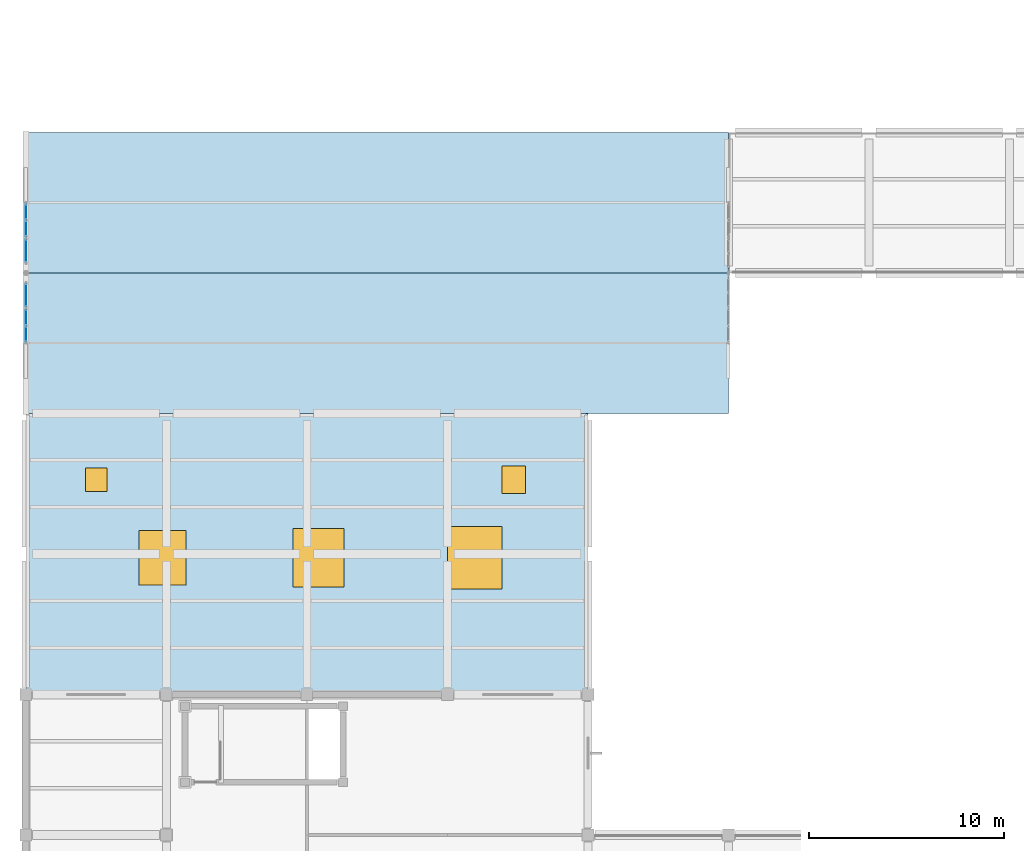
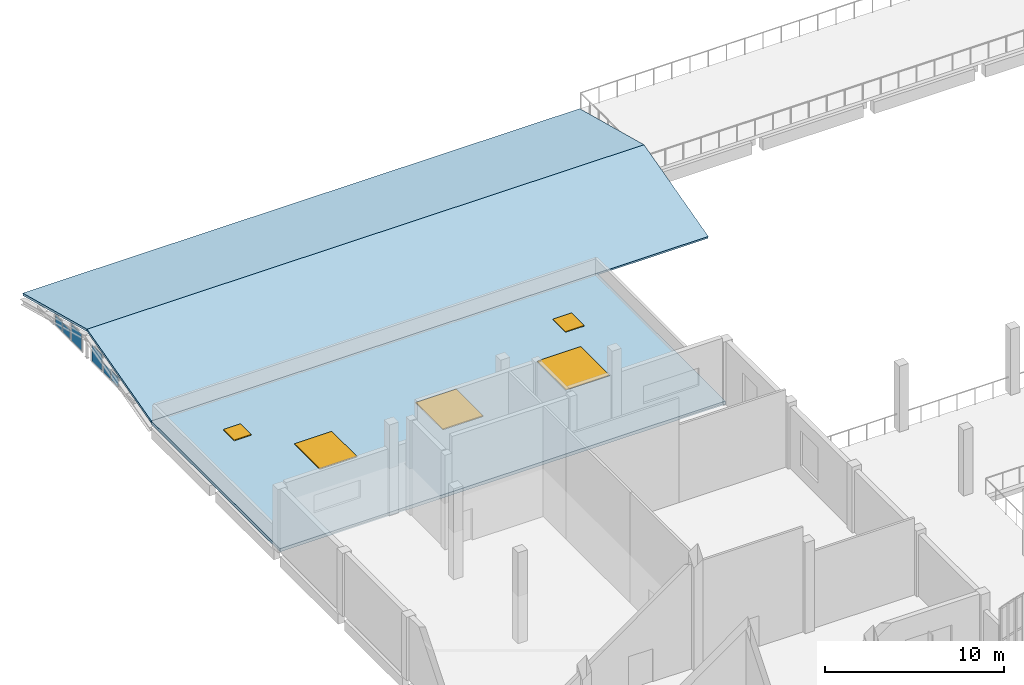
# One storey, part 72 of 105: 6 plates, 3 slabs, 3 windows, 2 doors, 5 openings, 5 elements without a shape of their own.
"""IFC4 building model written with IfcOpenShell, lengths in metres."""

from ifc_helpers import new_model, si_unit, direction, frame, origin, origin_2d, place, context, subcontext, project, spatial, polyline, rectangle, outline, extrude, material, layer, layer_set, type_object, element, fill, aggregate, save


model = new_model("IFC4")

# Units and contexts
model_context = context("Model", 3, precision=1e-05, world=origin(), true_north=direction((0.0, 1.0)))
body_context = subcontext(model_context, "Body", "Model", "MODEL_VIEW")
ifc_project = project(units=[si_unit("LENGTHUNIT", "METRE"), si_unit("AREAUNIT", "SQUARE_METRE"), si_unit("VOLUMEUNIT", "CUBIC_METRE"), si_unit("PLANEANGLEUNIT", "RADIAN"), si_unit("MASSUNIT", "GRAM", prefix="KILO"), si_unit("THERMODYNAMICTEMPERATUREUNIT", "KELVIN"), si_unit("POWERUNIT", "WATT")], contexts=[model_context])

# Site, building, storey
site_placement = place(None, origin())
site = spatial("IfcSite", under=ifc_project, at=site_placement, CompositionType="ELEMENT")
building_placement = place(site_placement, origin())
building = spatial("IfcBuilding", under=site, at=building_placement, Name="Kaldorven Railside Theatre", CompositionType="ELEMENT")
storey_placement = place(building_placement, frame((0.0, 0.0, 9.89990234375)))
storey = spatial("IfcBuildingStorey", under=building, at=storey_placement, Name="L02", CompositionType="ELEMENT", Elevation=9.89990234375)

# Curtain wall, plates
ifc_material_1 = material(Name="Low-E laminated solar-control glass", Category="glass")
ifc_layer_1 = layer(ifc_material_1, 0.159912109375, Name="Low-E laminated solar-control glass")
ifc_layer_set_1 = layer_set([ifc_layer_1], Name="Low-E laminated solar-control glass")
curtain_wall_type_1 = type_object("IfcCurtainWallType", Name="CWT-60", PredefinedType="USERDEFINED", material=ifc_layer_set_1)
curtain_wall_1_placement = place(storey_placement, origin())
curtain_wall_1 = element("IfcCurtainWall", 1, at=curtain_wall_1_placement, inside=storey, type_object=curtain_wall_type_1, Name="Black-Box West Gable Clerestory CWG-140", ObjectType="FLUTED GLAZING", PredefinedType="USERDEFINED")
ifc_layer_2 = layer(ifc_material_1, 0.028076171875, Name="Low-E laminated solar-control glass")
ifc_layer_set_2 = layer_set([ifc_layer_2], Name="Low-E laminated solar-control glass")
plate_type = type_object("IfcPlateType", Name="CWP-GLZ28", PredefinedType="CURTAIN_PANEL", material=ifc_layer_set_2)
plate_1_placement = place(storey_placement, frame((8.0, 66.469970703125, 0.080078125), z_axis=(0.0, 0.0, 1.0), x_axis=(0.0, 1.0, 0.0)))
plate_1 = element("IfcPlate", 2, at=plate_1_placement, type_object=plate_type, Name="CWG-140 panel 1.1", PredefinedType="CURTAIN_PANEL", context=body_context, shape_type="SweptSolid", body=[
    extrude(rectangle(XDim=0.780029296875, YDim=0.028076171875, at=origin_2d()), origin(), (0.0, 0.0, 1.0), 0.639892578125),
])
plate_2_placement = place(storey_placement, frame((8.0, 67.330078125, 0.080078125), z_axis=(0.0, 0.0, 1.0), x_axis=(0.0, 1.0, 0.0)))
plate_2 = element("IfcPlate", 3, at=plate_2_placement, type_object=plate_type, Name="CWG-140 panel 2.1", PredefinedType="CURTAIN_PANEL", context=body_context, shape_type="SweptSolid", body=[
    extrude(rectangle(XDim=0.780029296875, YDim=0.028076171875, at=origin_2d()), origin(), (0.0, 0.0, 1.0), 0.639892578125),
])
aggregate(curtain_wall_1, [plate_1, plate_2])

# Curtain wall, plate
ifc_layer_3 = layer(ifc_material_1, 0.159912109375, Name="Low-E laminated solar-control glass")
ifc_layer_set_3 = layer_set([ifc_layer_3], Name="Low-E laminated solar-control glass")
curtain_wall_type_2 = type_object("IfcCurtainWallType", Name="CWT-67", PredefinedType="USERDEFINED", material=ifc_layer_set_3)
curtain_wall_2_placement = place(storey_placement, origin())
curtain_wall_2 = element("IfcCurtainWall", 4, at=curtain_wall_2_placement, inside=storey, type_object=curtain_wall_type_2, Name="Black-Box West Gable Clerestory CWG-141", ObjectType="FLUTED GLAZING", PredefinedType="USERDEFINED")
plate_3_placement = place(storey_placement, frame((8.0, 68.455078125, 0.080078125), z_axis=(0.0, 0.0, 1.0), x_axis=(0.0, 1.0, 0.0)))
plate_3 = element("IfcPlate", 5, at=plate_3_placement, type_object=plate_type, Name="CWG-141 panel 1.1", PredefinedType="CURTAIN_PANEL", context=body_context, shape_type="SweptSolid", body=[
    extrude(rectangle(XDim=1.14990234375, YDim=0.028076171875, at=origin_2d()), origin(), (0.0, 0.0, 1.0), 1.1201171875),
])
aggregate(curtain_wall_2, [plate_3])

curtain_wall_3_placement = place(storey_placement, origin())
curtain_wall_3 = element("IfcCurtainWall", 6, at=curtain_wall_3_placement, inside=storey, type_object=curtain_wall_type_2, Name="Black-Box West Gable Clerestory CWG-142", ObjectType="FLUTED GLAZING", PredefinedType="USERDEFINED")
plate_4_placement = place(storey_placement, frame((8.0, 70.7451171875, 0.080078125), z_axis=(0.0, 0.0, 1.0), x_axis=(0.0, 1.0, 0.0)))
plate_4 = element("IfcPlate", 7, at=plate_4_placement, type_object=plate_type, Name="CWG-142 panel 1.1", PredefinedType="CURTAIN_PANEL", context=body_context, shape_type="SweptSolid", body=[
    extrude(rectangle(XDim=1.14990234375, YDim=0.028076171875, at=origin_2d()), origin(), (0.0, 0.0, 1.0), 1.1201171875),
])
aggregate(curtain_wall_3, [plate_4])

# Curtain wall, plates
curtain_wall_4_placement = place(storey_placement, origin())
curtain_wall_4 = element("IfcCurtainWall", 8, at=curtain_wall_4_placement, inside=storey, type_object=curtain_wall_type_1, Name="Black-Box West Gable Clerestory CWG-143", ObjectType="FLUTED GLAZING", PredefinedType="USERDEFINED")
plate_5_placement = place(storey_placement, frame((8.0, 71.8701171875, 0.080078125), z_axis=(0.0, 0.0, 1.0), x_axis=(0.0, 1.0, 0.0)))
plate_5 = element("IfcPlate", 9, at=plate_5_placement, type_object=plate_type, Name="CWG-143 panel 1.1", PredefinedType="CURTAIN_PANEL", context=body_context, shape_type="SweptSolid", body=[
    extrude(rectangle(XDim=0.780029296875, YDim=0.028076171875, at=origin_2d()), origin(), (0.0, 0.0, 1.0), 0.639892578125),
])
plate_6_placement = place(storey_placement, frame((8.0, 72.72998046875, 0.080078125), z_axis=(0.0, 0.0, 1.0), x_axis=(0.0, 1.0, 0.0)))
plate_6 = element("IfcPlate", 10, at=plate_6_placement, type_object=plate_type, Name="CWG-143 panel 2.1", PredefinedType="CURTAIN_PANEL", context=body_context, shape_type="SweptSolid", body=[
    extrude(rectangle(XDim=0.780029296875, YDim=0.028076171875, at=origin_2d()), origin(), (0.0, 0.0, 1.0), 0.639892578125),
])
aggregate(curtain_wall_4, [plate_5, plate_6])

# Roof, slabs
ifc_material_2 = material(Name="Concrete C35/45", Category="concrete")
roof_type = type_object("IfcRoofType", Name="RF-GABLE-BBOX", PredefinedType="GABLE_ROOF", material=ifc_material_2)
roof_placement = place(storey_placement, origin())
roof = element("IfcRoof", 11, at=roof_placement, inside=storey, type_object=roof_type, Name="Black-Box Dual-Pitch Clerestory Roof", PredefinedType="GABLE_ROOF")
ifc_layer_4 = layer(ifc_material_2, 0.159912109375, Name="Concrete C35/45")
ifc_layer_set_4 = layer_set([ifc_layer_4], Name="Concrete C35/45")
slab_type_1 = type_object("IfcSlabType", Name="SLB-RSL-160", PredefinedType="ROOF", material=ifc_layer_set_4)
slab_1_placement = place(storey_placement, frame((8.0, 62.39990234375, 0.0), z_axis=(0.0, -0.255166180904, 0.966897212801), x_axis=(1.0, 0.0, 0.0)))
slab_1 = element("IfcSlab", 12, at=slab_1_placement, type_object=slab_type_1, Name="Black-Box Dual-Pitch Roof V4-RF-S", PredefinedType="ROOF", context=body_context, shape_type="SweptSolid", body=[
    extrude(outline(polyline([(0.0, 0.0), (36.0, 0.0), (36.0, 7.4467019008571596), (0.0, 7.4467019008571596), (0.0, 0.0)])), origin(), (0.0, 0.0, -1.0), 0.159912109375),
])
slab_2_placement = place(storey_placement, frame((8.0, 69.60009765625, 1.900146484375), z_axis=(0.0, 0.255174269866, 0.966895078071), x_axis=(1.0, 0.0, 0.0)))
slab_2 = element("IfcSlab", 13, at=slab_2_placement, type_object=slab_type_1, Name="Black-Box Dual-Pitch Roof V4-RF-N", PredefinedType="ROOF", context=body_context, shape_type="SweptSolid", body=[
    extrude(outline(polyline([(0.0, 0.0), (36.0, 0.0), (36.0, 7.4464658422279), (0.0, 7.4464658422279), (0.0, 0.0)])), origin(), (0.0, 0.0, -1.0), 0.159912109375),
])
aggregate(roof, [slab_1, slab_2])

# Slab, openings, doors, windows
ifc_layer_5 = layer(ifc_material_2, 0.219970703125, Name="Concrete C35/45")
ifc_layer_set_5 = layer_set([ifc_layer_5], Name="Concrete C35/45")
slab_type_2 = type_object("IfcSlabType", Name="SLB-RSL-220", PredefinedType="ROOF", material=ifc_layer_set_5)
slab_3_placement = place(storey_placement, frame((0.0, 0.0, -0.219970703125)))
slab_3 = element("IfcSlab", 14, at=slab_3_placement, inside=storey, type_object=slab_type_2, Name="Studio North Side Roof Slab SL-L02-V3SRF", PredefinedType="ROOF", context=body_context, shape_type="SweptSolid", body=[
    extrude(outline(polyline([(8.0, 48.0), (36.800048828125, 48.0), (36.800048828125, 62.39990234375), (8.0, 62.39990234375), (8.0, 48.0)])), origin(), (0.0, 0.0, 1.0), 0.219970703125),
])
opening_1_placement = place(slab_3_placement, frame((15.0, 55.0, -0.010009765625)))
opening_1 = element("IfcOpeningElement", 15, at=opening_1_placement, cuts=slab_3, Name="Opening SK-06", PredefinedType="OPENING", context=body_context, shape_type="SweptSolid", body=[
    extrude(rectangle(XDim=2.407958984375, YDim=2.80810546875, at=origin_2d()), origin(), (0.0, 0.0, 1.0), 0.2900390625),
])
opening_2_placement = place(slab_3_placement, frame((23.0, 55.0, -0.010009765625)))
opening_2 = element("IfcOpeningElement", 16, at=opening_2_placement, cuts=slab_3, Name="Opening SK-07", PredefinedType="OPENING", context=body_context, shape_type="SweptSolid", body=[
    extrude(rectangle(XDim=2.608154296875, YDim=3.008056640625, at=origin_2d()), origin(), (0.0, 0.0, 1.0), 0.2900390625),
])
opening_3_placement = place(slab_3_placement, frame((31.0, 55.0, -0.010009765625)))
opening_3 = element("IfcOpeningElement", 17, at=opening_3_placement, cuts=slab_3, Name="Opening SK-08", PredefinedType="OPENING", context=body_context, shape_type="SweptSolid", body=[
    extrude(rectangle(XDim=2.80810546875, YDim=3.2080078125, at=origin_2d()), origin(), (0.0, 0.0, 1.0), 0.2900390625),
])
opening_4_placement = place(slab_3_placement, frame((11.60009765625, 59.0, -0.010009765625)))
opening_4 = element("IfcOpeningElement", 18, at=opening_4_placement, cuts=slab_3, Name="Opening RH-03", PredefinedType="OPENING", context=body_context, shape_type="SweptSolid", body=[
    extrude(rectangle(XDim=1.108154296875, YDim=1.2080078125, at=origin_2d()), origin(), (0.0, 0.0, 1.0), 0.2900390625),
])
opening_5_placement = place(slab_3_placement, frame((33.0, 59.0, -0.010009765625)))
opening_5 = element("IfcOpeningElement", 19, at=opening_5_placement, cuts=slab_3, Name="Opening RH-04", PredefinedType="OPENING", context=body_context, shape_type="SweptSolid", body=[
    extrude(rectangle(XDim=1.2080078125, YDim=1.407958984375, at=origin_2d()), origin(), (0.0, 0.0, 1.0), 0.2900390625),
])
ifc_material_3 = material(Name="Powder-coated hollow-metal steel", Category="steel")
door_type_1 = type_object("IfcDoorType", Name="DR-TD01", OperationType="NOTDEFINED", PredefinedType="TRAPDOOR", material=ifc_material_3)
door_1_placement = place(opening_4_placement, frame((0.0, 0.0, 0.22998046875)))
door_1 = element("IfcDoor", 20, at=door_1_placement, inside=storey, type_object=door_type_1, Name="Roof Maintenance Access Hatch RH-03", OperationType="SINGLE_SWING_LEFT", OverallHeight=1.199951171875, OverallWidth=1.10009765625, PredefinedType="TRAPDOOR", context=body_context, shape_type="SweptSolid", body=[
    extrude(rectangle(XDim=1.10009765625, YDim=1.199951171875, at=origin_2d()), origin(), (0.0, 0.0, 1.0), 0.050048828125),
])
fill(opening_4, door_1)
door_type_2 = type_object("IfcDoorType", Name="DR-TD02", OperationType="NOTDEFINED", PredefinedType="TRAPDOOR", material=ifc_material_3)
door_2_placement = place(opening_5_placement, frame((0.0, 0.0, 0.22998046875)))
door_2 = element("IfcDoor", 21, at=door_2_placement, inside=storey, type_object=door_type_2, Name="Roof Maintenance Access Hatch RH-04", OperationType="SINGLE_SWING_LEFT", OverallHeight=1.39990234375, OverallWidth=1.199951171875, PredefinedType="TRAPDOOR", context=body_context, shape_type="SweptSolid", body=[
    extrude(rectangle(XDim=1.199951171875, YDim=1.39990234375, at=origin_2d()), origin(), (0.0, 0.0, 1.0), 0.050048828125),
])
fill(opening_5, door_2)
window_type_1 = type_object("IfcWindowType", Name="WN-SK02", PartitioningType="SINGLE_PANEL", PredefinedType="SKYLIGHT", material=ifc_material_1)
window_1_placement = place(opening_1_placement, frame((0.0, 0.0, 0.22998046875)))
window_1 = element("IfcWindow", 22, at=window_1_placement, inside=storey, type_object=window_type_1, Name="Automatic Roof Smoke Ventilator Skylight SK-06", OverallHeight=2.800048828125, OverallWidth=2.39990234375, PartitioningType="SINGLE_PANEL", PredefinedType="SKYLIGHT", context=body_context, shape_type="SweptSolid", body=[
    extrude(rectangle(XDim=2.39990234375, YDim=2.800048828125, at=origin_2d()), origin(), (0.0, 0.0, 1.0), 0.050048828125),
])
fill(opening_1, window_1)
window_type_2 = type_object("IfcWindowType", Name="WN-SK03", PartitioningType="SINGLE_PANEL", PredefinedType="SKYLIGHT", material=ifc_material_1)
window_2_placement = place(opening_2_placement, frame((0.0, 0.0, 0.22998046875)))
window_2 = element("IfcWindow", 23, at=window_2_placement, inside=storey, type_object=window_type_2, Name="Automatic Roof Smoke Ventilator Skylight SK-07", OverallHeight=3.0, OverallWidth=2.60009765625, PartitioningType="SINGLE_PANEL", PredefinedType="SKYLIGHT", context=body_context, shape_type="SweptSolid", body=[
    extrude(rectangle(XDim=2.60009765625, YDim=3.0, at=origin_2d()), origin(), (0.0, 0.0, 1.0), 0.050048828125),
])
fill(opening_2, window_2)
window_type_3 = type_object("IfcWindowType", Name="WN-SK04", PartitioningType="SINGLE_PANEL", PredefinedType="SKYLIGHT", material=ifc_material_1)
window_3_placement = place(opening_3_placement, frame((0.0, 0.0, 0.22998046875)))
window_3 = element("IfcWindow", 24, at=window_3_placement, inside=storey, type_object=window_type_3, Name="Automatic Roof Smoke Ventilator Skylight SK-08", OverallHeight=3.199951171875, OverallWidth=2.800048828125, PartitioningType="SINGLE_PANEL", PredefinedType="SKYLIGHT", context=body_context, shape_type="SweptSolid", body=[
    extrude(rectangle(XDim=2.800048828125, YDim=3.199951171875, at=origin_2d()), origin(), (0.0, 0.0, 1.0), 0.050048828125),
])
fill(opening_3, window_3)

save(model, "model.ifc")
